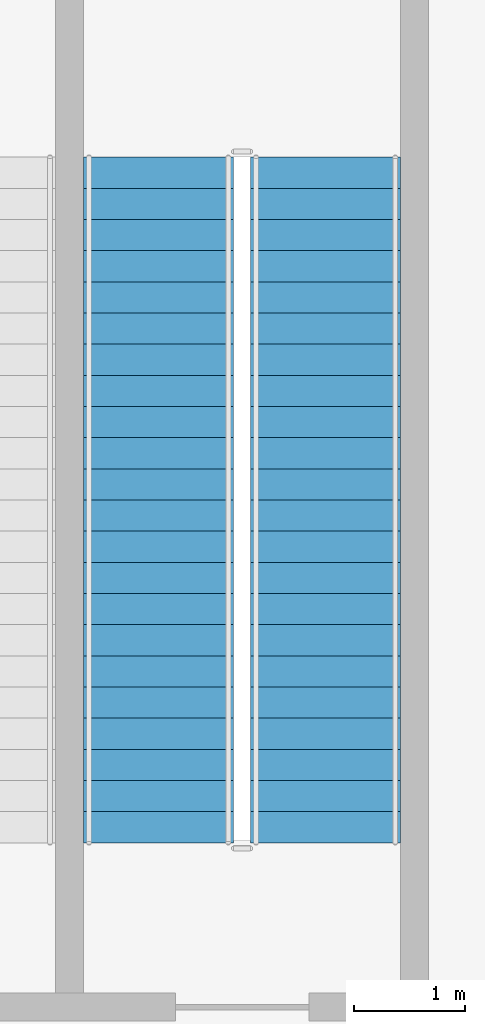
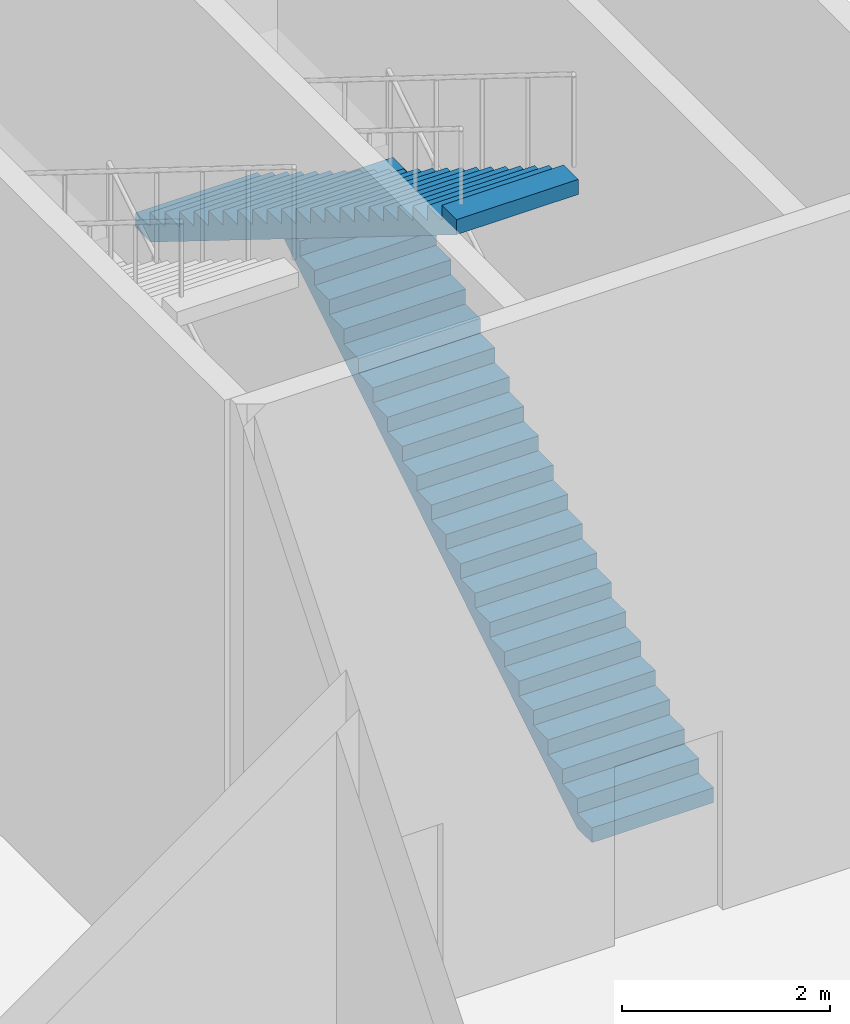
# One storey, part 37 of 52: 2 stair flights, 1 element without a shape of its own.
"""IFC4 building model written with IfcOpenShell, lengths in metres."""

import ifcopenshell
import ifcopenshell.guid

model = None  # the IFC model being written
_history = None  # IfcOwnerHistory: only IFC2X3 demands one
_inside = {}  # id of a spatial element -> (the spatial element, [elements in it])
_under = {}  # id of a project, library or spatial element -> (it, [spatial elements below it])
_declared = {}  # id of a project -> (the project, [libraries it declares])
_typed = {}  # id of a type object -> (the type object, [elements of that type])
_made_of = {}  # id of a material, layer set ... -> (it, [elements and type objects made of it])


def new_model(schema):
    """Start an empty IFC model of exactly this schema.

    Asked for "IFC4X3", IfcOpenShell would pick the latest addendum, in which some entities
    have other attributes; the version numbers below select the first issue.
    IFC2X3 requires an IfcOwnerHistory on every rooted entity: one is made here for all.
    """
    global model, _history
    if schema == "IFC4X3":
        model = ifcopenshell.file(schema_version=(4, 3, 0, 0))
    else:
        model = ifcopenshell.file(schema=schema)
    _inside.clear()
    _under.clear()
    _declared.clear()
    _typed.clear()
    _made_of.clear()
    _history = None
    if model.schema == "IFC2X3":
        org = make("IfcOrganization", Name="unknown")
        user = make(
            "IfcPersonAndOrganization",
            ThePerson=make("IfcPerson", FamilyName="unknown"),
            TheOrganization=org,
        )
        app = make(
            "IfcApplication",
            ApplicationDeveloper=org,
            Version="unknown",
            ApplicationFullName="unknown",
            ApplicationIdentifier="unknown",
        )
        _history = make(
            "IfcOwnerHistory",
            OwningUser=user,
            OwningApplication=app,
            ChangeAction="ADDED",
            CreationDate=0,
        )
    return model


def make(cls, **values):
    """One entity of the class cls with the attributes given. An attribute that is None is left unset."""
    return model.create_entity(
        cls, **{name: value for name, value in values.items() if value is not None}
    )


def rooted(cls, **values):
    """An entity with a GlobalId (a new one), such as an element, a storey or a relation."""
    return make(cls, GlobalId=ifcopenshell.guid.new(), OwnerHistory=_history, **values)


def si_unit(unit_type, name, prefix=None):
    """IfcSIUnit, for example si_unit("LENGTHUNIT", "METRE", prefix="MILLI")."""
    return make("IfcSIUnit", UnitType=unit_type, Prefix=prefix, Name=name)


def assignment(units):
    """IfcUnitAssignment: the units of a project."""
    return None if units is None else make("IfcUnitAssignment", Units=units)


def point(xyz):
    """IfcCartesianPoint."""
    return None if xyz is None else make("IfcCartesianPoint", Coordinates=xyz)


def direction(xyz):
    """IfcDirection."""
    return None if xyz is None else make("IfcDirection", DirectionRatios=xyz)


def frame(location, z_axis=None, x_axis=None):
    """IfcAxis2Placement3D, a coordinate frame: its origin and axes. An axis left out is left unset."""
    return make(
        "IfcAxis2Placement3D",
        Location=point(location),
        Axis=direction(z_axis),
        RefDirection=direction(x_axis),
    )


def origin():
    """The frame at (0, 0, 0) with its axes left unset."""
    return frame((0.0, 0.0, 0.0))


def place(relative_to, where):
    """IfcLocalPlacement: puts the frame where relative to a parent placement (None: the world)."""
    return make(
        "IfcLocalPlacement", PlacementRelTo=relative_to, RelativePlacement=where
    )


def context(
    kind, dimensions, precision=None, world=None, true_north=None, identifier=None
):
    """IfcGeometricRepresentationContext, for example the 3D "Model" context."""
    return make(
        "IfcGeometricRepresentationContext",
        ContextIdentifier=identifier,
        ContextType=kind,
        CoordinateSpaceDimension=dimensions,
        Precision=precision,
        WorldCoordinateSystem=world,
        TrueNorth=true_north,
    )


def subcontext(parent, identifier, kind, view, scale=None):
    """IfcGeometricRepresentationSubContext, for example "Body" below "Model"."""
    return make(
        "IfcGeometricRepresentationSubContext",
        ContextIdentifier=identifier,
        ContextType=kind,
        ParentContext=parent,
        TargetScale=scale,
        TargetView=view,
    )


def project(units=None, contexts=None):
    """IfcProject with its units and contexts."""
    return rooted(
        "IfcProject",
        Name="project",
        RepresentationContexts=contexts,
        UnitsInContext=assignment(units),
    )


def spatial(cls, under=None, at=None, **own):
    """A site, building, storey or space (cls), placed at a placement, below another one or the project."""
    s = rooted(cls, ObjectPlacement=at, **own)
    if under is not None:
        _under.setdefault(under.id(), (under, []))[1].append(s)
    return s


def polyline(points):
    """IfcPolyline through the points."""
    return make("IfcPolyline", Points=[point(p) for p in points])


def outline(outer, holes=None, kind="AREA"):
    """IfcArbitraryClosedProfileDef: a profile drawn as a closed curve; with holes, ...WithVoids."""
    if holes is None:
        return make("IfcArbitraryClosedProfileDef", ProfileType=kind, OuterCurve=outer)
    return make(
        "IfcArbitraryProfileDefWithVoids",
        ProfileType=kind,
        OuterCurve=outer,
        InnerCurves=holes,
    )


def extrude(swept, where, along, depth):
    """IfcExtrudedAreaSolid: the profile swept, set in the frame where, extruded along a direction by depth."""
    return make(
        "IfcExtrudedAreaSolid",
        SweptArea=swept,
        Position=where,
        ExtrudedDirection=direction(along),
        Depth=depth,
    )


def shape(context_of_items, identifier, shape_type, items):
    """IfcShapeRepresentation: the items that make up one representation, for example the "Body"."""
    return make(
        "IfcShapeRepresentation",
        ContextOfItems=context_of_items,
        RepresentationIdentifier=identifier,
        RepresentationType=shape_type,
        Items=items,
    )


def material(Name=None, Category=None):
    """IfcMaterial."""
    return make("IfcMaterial", Name=Name, Category=Category)


def made_of(thing, what):
    """Note that an element or type object is made of a material, layer set ...; save() writes the relation."""
    if what is not None:
        _made_of.setdefault(what.id(), (what, []))[1].append(thing)
    return thing


def type_object(cls, material=None, **own):
    """A type object (cls), such as IfcWallType, which elements share."""
    return made_of(rooted(cls, **own), material)


def element(
    cls,
    number,
    at=None,
    inside=None,
    cuts=None,
    type_object=None,
    material=None,
    context=None,
    identifier="Body",
    shape_type=None,
    held_by="IfcProductDefinitionShape",
    body=None,
    shapes=None,
    **own,
):
    """One element of the class cls, such as IfcWall. Its Tag is "e" and its number.

    at: its placement. inside: the storey or other place that contains it. cuts: it is an
    opening in that element (IfcRelVoidsElement). A single representation is given by context,
    identifier, shape_type and body (its items); several are given by shapes. held_by: the class
    of the entity that holds the representations. save() writes the other relations.
    """
    e = rooted(cls, Tag="e%d" % number, ObjectPlacement=at, **own)
    if body is not None:
        shapes = [shape(context, identifier, shape_type, body)]
    if shapes is not None:
        e.Representation = make(held_by, Representations=shapes)
    if inside is not None:
        _inside.setdefault(inside.id(), (inside, []))[1].append(e)
    if cuts is not None:
        rooted(
            "IfcRelVoidsElement", RelatingBuildingElement=cuts, RelatedOpeningElement=e
        )
    if type_object is not None:
        _typed.setdefault(type_object.id(), (type_object, []))[1].append(e)
    return made_of(e, material)


def aggregate(whole, parts):
    """IfcRelAggregates: a whole, such as a stair, and the parts it consists of."""
    return rooted("IfcRelAggregates", RelatingObject=whole, RelatedObjects=parts)


def save(model, path):
    """Write the relations noted so far, then the file.

    IfcRelAggregates (storeys below a building ...), IfcRelContainedInSpatialStructure (elements
    in a storey), IfcRelDefinesByType, IfcRelAssociatesMaterial and IfcRelDeclares: one each for
    every whole, place, type object, material and project.
    """
    for whole, parts in _under.values():
        aggregate(whole, parts)
    for where, things in _inside.values():
        rooted(
            "IfcRelContainedInSpatialStructure",
            RelatedElements=things,
            RelatingStructure=where,
        )
    for kind, things in _typed.values():
        rooted("IfcRelDefinesByType", RelatedObjects=things, RelatingType=kind)
    for what, things in _made_of.values():
        rooted("IfcRelAssociatesMaterial", RelatedObjects=things, RelatingMaterial=what)
    for by, libraries in _declared.values():
        rooted("IfcRelDeclares", RelatingContext=by, RelatedDefinitions=libraries)
    model.write(path)


model = new_model("IFC4")

# Units and contexts
model_context = context("Model", 3, precision=1e-05, world=origin(), true_north=direction((0.0, 1.0)))
body_context = subcontext(model_context, "Body", "Model", "MODEL_VIEW")
ifc_project = project(units=[si_unit("LENGTHUNIT", "METRE"), si_unit("AREAUNIT", "SQUARE_METRE"), si_unit("VOLUMEUNIT", "CUBIC_METRE"), si_unit("PLANEANGLEUNIT", "RADIAN"), si_unit("MASSUNIT", "GRAM", prefix="KILO")], contexts=[model_context])

# Site, building, storey
site_placement = place(None, origin())
site = spatial("IfcSite", under=ifc_project, at=site_placement, CompositionType="ELEMENT")
building_placement = place(site_placement, origin())
building = spatial("IfcBuilding", under=site, at=building_placement, Name="Candeia Pilgrim Tower and Theatre", CompositionType="ELEMENT")
storey_placement = place(building_placement, frame((0.0, 0.0, 9.0)))
storey = spatial("IfcBuildingStorey", under=building, at=storey_placement, Name="L01", CompositionType="ELEMENT", Elevation=9.0)

# Stair, stair flights
ifc_material = material(Name="Concrete C35/45", Category="concrete")
stair_type = type_object("IfcStairType", Name="Theatre stair", PredefinedType="HALF_TURN_STAIR", material=ifc_material)
stair_placement = place(storey_placement, origin())
stair = element("IfcStair", 1, at=stair_placement, inside=storey, type_object=stair_type, Name="L01 Theatre stair S4", PredefinedType="HALF_TURN_STAIR")
stair_flight_type = type_object("IfcStairFlightType", Name="Theatre stair flight", PredefinedType="STRAIGHT", material=ifc_material)
stair_flight_1_placement = place(storey_placement, frame((240.199951171875, 107.77490234375, 0.0), z_axis=(0.0, 0.0, 1.0), x_axis=(0.0, 1.0, 0.0)))
stair_flight_1 = element("IfcStairFlight", 2, at=stair_flight_1_placement, type_object=stair_flight_type, Name="TS4 flight 1", NumberOfRisers=23, NumberOfTreads=22, PredefinedType="STRAIGHT", RiserHeight=0.173913043, TreadLength=0.28, context=body_context, shape_type="SweptSolid", body=[
    extrude(outline(polyline([(0.0, 0.0), (0.0, 0.173828125), (0.280029296875, 0.173828125), (0.280029296875, 0.347900390625), (0.56005859375, 0.347900390625), (0.56005859375, 0.521728515625), (0.840087890625, 0.521728515625), (0.840087890625, 0.695556640625), (1.1201171875, 0.695556640625), (1.1201171875, 0.86962890625), (1.39990234375, 0.86962890625), (1.39990234375, 1.04345703125), (1.679931640625, 1.04345703125), (1.679931640625, 1.21728515625), (1.9599609375, 1.21728515625), (1.9599609375, 1.391357421875), (2.239990234375, 1.391357421875), (2.239990234375, 1.565185546875), (2.52001953125, 1.565185546875), (2.52001953125, 1.739013671875), (2.800048828125, 1.739013671875), (2.800048828125, 1.9130859375), (3.080078125, 1.9130859375), (3.080078125, 2.0869140625), (3.360107421875, 2.0869140625), (3.360107421875, 2.260986328125), (3.639892578125, 2.260986328125), (3.639892578125, 2.434814453125), (3.919921875, 2.434814453125), (3.919921875, 2.608642578125), (4.199951171875, 2.608642578125), (4.199951171875, 2.78271484375), (4.47998046875, 2.78271484375), (4.47998046875, 2.95654296875), (4.760009765625, 2.95654296875), (4.760009765625, 3.13037109375), (5.0400390625, 3.13037109375), (5.0400390625, 3.304443359375), (5.320068359375, 3.304443359375), (5.320068359375, 3.478271484375), (5.60009765625, 3.478271484375), (5.60009765625, 3.652099609375), (5.8798828125, 3.652099609375), (5.8798828125, 3.826171875), (6.159912109375, 3.826171875), (6.159912109375, 4.0), (6.159912109375, 3.649658203125), (0.2841796875, 0.0), (0.0, 0.0)])), frame((0.0, 0.675048828125, 0.0), z_axis=(0.0, -1.0, 0.0), x_axis=(1.0, 0.0, 0.0)), (0.0, 0.0, 1.0), 1.35009765625),
])
stair_flight_2_placement = place(storey_placement, frame((238.699951171875, 113.93505859375, 4.0), z_axis=(0.0, 0.0, 1.0), x_axis=(0.0, -1.0, 0.0)))
stair_flight_2 = element("IfcStairFlight", 3, at=stair_flight_2_placement, type_object=stair_flight_type, Name="TS4 flight 2", NumberOfRisers=23, NumberOfTreads=22, PredefinedType="STRAIGHT", RiserHeight=0.173913043, TreadLength=0.28, context=body_context, shape_type="SweptSolid", body=[
    extrude(outline(polyline([(0.0, 0.0), (0.0, 0.173828125), (0.280029296875, 0.173828125), (0.280029296875, 0.347900390625), (0.56005859375, 0.347900390625), (0.56005859375, 0.521728515625), (0.840087890625, 0.521728515625), (0.840087890625, 0.695556640625), (1.1201171875, 0.695556640625), (1.1201171875, 0.86962890625), (1.39990234375, 0.86962890625), (1.39990234375, 1.04345703125), (1.679931640625, 1.04345703125), (1.679931640625, 1.21728515625), (1.9599609375, 1.21728515625), (1.9599609375, 1.391357421875), (2.239990234375, 1.391357421875), (2.239990234375, 1.565185546875), (2.52001953125, 1.565185546875), (2.52001953125, 1.739013671875), (2.800048828125, 1.739013671875), (2.800048828125, 1.9130859375), (3.080078125, 1.9130859375), (3.080078125, 2.0869140625), (3.360107421875, 2.0869140625), (3.360107421875, 2.260986328125), (3.639892578125, 2.260986328125), (3.639892578125, 2.434814453125), (3.919921875, 2.434814453125), (3.919921875, 2.608642578125), (4.199951171875, 2.608642578125), (4.199951171875, 2.78271484375), (4.47998046875, 2.78271484375), (4.47998046875, 2.95654296875), (4.760009765625, 2.95654296875), (4.760009765625, 3.13037109375), (5.0400390625, 3.13037109375), (5.0400390625, 3.304443359375), (5.320068359375, 3.304443359375), (5.320068359375, 3.478271484375), (5.60009765625, 3.478271484375), (5.60009765625, 3.652099609375), (5.8798828125, 3.652099609375), (5.8798828125, 3.826171875), (6.159912109375, 3.826171875), (6.159912109375, 4.0), (6.159912109375, 3.649658203125), (0.2841796875, 0.0), (0.0, 0.0)])), frame((0.0, 0.675048828125, 0.0), z_axis=(0.0, -1.0, 0.0), x_axis=(1.0, 0.0, 0.0)), (0.0, 0.0, 1.0), 1.35009765625),
])
aggregate(stair, [stair_flight_1, stair_flight_2])

save(model, "model.ifc")
